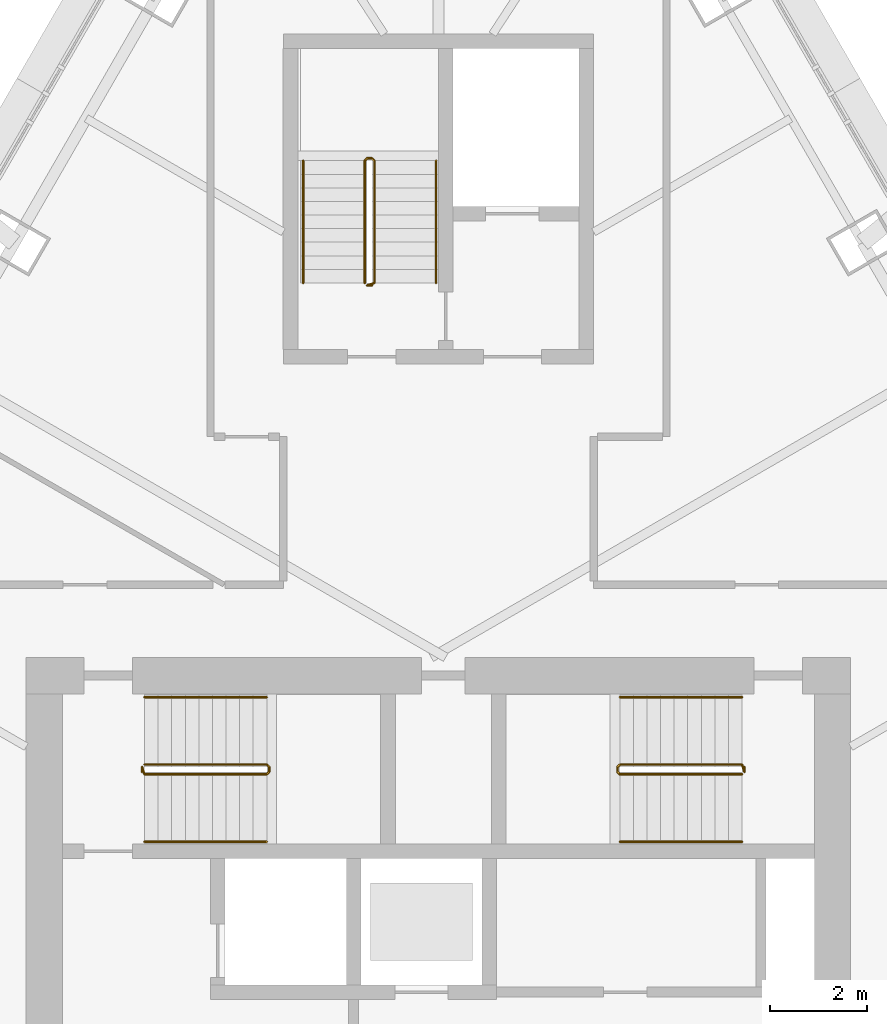
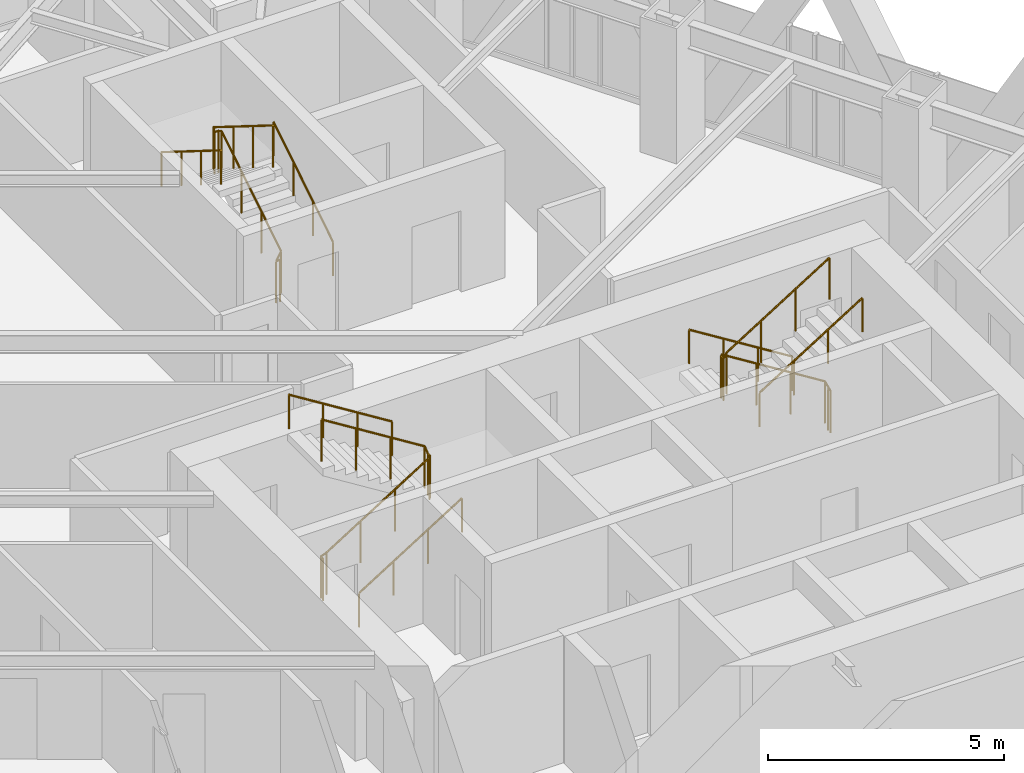
# One storey, part 22 of 23: 9 railings.
"""IFC4 building model written with IfcOpenShell, lengths in metres."""

from ifc_helpers import new_model, si_unit, direction, frame, origin, origin_2d, place, context, subcontext, project, spatial, circle, extrude, material, type_object, element, save


model = new_model("IFC4")

# Units and contexts
model_context = context("Model", 3, precision=1e-05, world=origin(), true_north=direction((0.0, 1.0)))
body_context = subcontext(model_context, "Body", "Model", "MODEL_VIEW")
ifc_project = project(units=[si_unit("LENGTHUNIT", "METRE"), si_unit("AREAUNIT", "SQUARE_METRE"), si_unit("VOLUMEUNIT", "CUBIC_METRE"), si_unit("PLANEANGLEUNIT", "RADIAN"), si_unit("MASSUNIT", "GRAM", prefix="KILO")], contexts=[model_context])

# Site, building, storey
site_placement = place(None, origin())
site = spatial("IfcSite", under=ifc_project, at=site_placement, CompositionType="ELEMENT")
building_placement = place(site_placement, origin())
building = spatial("IfcBuilding", under=site, at=building_placement, Name="Firuza Gate Tower and Library", CompositionType="ELEMENT")
storey_placement = place(building_placement, frame((0.0, 0.0, 312.60009765625)))
storey = spatial("IfcBuildingStorey", under=building, at=storey_placement, Name="L76", CompositionType="ELEMENT", Elevation=312.60009765625)

# Railings
ifc_material_1 = material(Name="Steel S355", Category="steel")
railing_type_1 = type_object("IfcRailingType", Name="Stair guard 1100", PredefinedType="GUARDRAIL", material=ifc_material_1)
railing_1_placement = place(storey_placement, frame((68.889892578125, 79.389892578125, 0.0)))
element("IfcRailing", 1, at=railing_1_placement, inside=storey, type_object=railing_type_1, Name="L76 ST1 stair guard 1", PredefinedType="GUARDRAIL", context=body_context, shape_type="SweptSolid", body=[
    extrude(circle(Radius=0.02392578125, at=origin_2d()), frame((0.0, 0.0, 1.076171875), z_axis=(0.0, 1.0, 0.0), x_axis=(-1.0, 0.0, 0.0)), (0.0, 0.0, 1.0), 0.10009765625),
    extrude(circle(Radius=0.02392578125, at=origin_2d()), frame((0.0, 0.10009765625, 1.076171875), z_axis=(0.212383695785, -0.636115069328, 0.741788908207), x_axis=(0.948528701346, 0.316691178788, 0.0)), (0.0, 0.0, 1.0), 0.235595703125),
    extrude(circle(Radius=0.02392578125, at=origin_2d()), frame((0.050048828125, -0.0498046875, 1.2509765625), z_axis=(0.847970611238, 0.0, 0.530043245855), x_axis=(0.0, 1.0, 0.0)), (0.0, 0.0, 1.0), 2.971923828125),
    extrude(circle(Radius=0.02392578125, at=origin_2d()), frame((2.570068359375, -0.0498046875, 2.826171875), z_axis=(0.708833529934, 0.705375805398, 0.0), x_axis=(-0.705375805398, 0.708833529934, 0.0)), (0.0, 0.0, 1.0), 0.070556640625),
    extrude(circle(Radius=0.02392578125, at=origin_2d()), frame((2.6201171875, 0.0, 2.826171875), z_axis=(0.0, 1.0, 0.0), x_axis=(-1.0, 0.0, 0.0)), (0.0, 0.0, 1.0), 0.10009765625),
    extrude(circle(Radius=0.02392578125, at=origin_2d()), frame((2.6201171875, 0.10009765625, 2.826171875), z_axis=(-0.265383341853, 0.265383341853, 0.926899867156), x_axis=(-0.707106781187, -0.707106781187, 0.0)), (0.0, 0.0, 1.0), 0.1884765625),
    extrude(circle(Radius=0.02392578125, at=origin_2d()), frame((2.570068359375, 0.150146484375, 3.0009765625), z_axis=(-0.847970611238, 0.0, 0.530043245855), x_axis=(0.0, -1.0, 0.0)), (0.0, 0.0, 1.0), 2.971923828125),
    extrude(circle(Radius=0.02099609375, at=origin_2d()), origin(), (0.0, 0.0, 1.0), 1.052001953125),
    extrude(circle(Radius=0.02099609375, at=origin_2d()), frame((0.0, 0.10009765625, 0.0)), (0.0, 0.0, 1.0), 1.052001953125),
    extrude(circle(Radius=0.02099609375, at=origin_2d()), frame((0.050048828125, -0.0498046875, 0.1748046875)), (0.0, 0.0, 1.0), 1.052001953125),
    extrude(circle(Radius=0.02099609375, at=origin_2d()), frame((0.89013671875, -0.0498046875, 0.699951171875)), (0.0, 0.0, 1.0), 1.052001953125),
    extrude(circle(Radius=0.02099609375, at=origin_2d()), frame((1.72998046875, -0.0498046875, 1.224853515625)), (0.0, 0.0, 1.0), 1.052001953125),
    extrude(circle(Radius=0.02099609375, at=origin_2d()), frame((2.570068359375, -0.0498046875, 1.75)), (0.0, 0.0, 1.0), 1.052001953125),
    extrude(circle(Radius=0.02099609375, at=origin_2d()), frame((2.6201171875, 0.0, 1.75)), (0.0, 0.0, 1.0), 1.052001953125),
    extrude(circle(Radius=0.02099609375, at=origin_2d()), frame((2.6201171875, 0.10009765625, 1.75)), (0.0, 0.0, 1.0), 1.052001953125),
    extrude(circle(Radius=0.02099609375, at=origin_2d()), frame((2.570068359375, 0.150146484375, 1.9248046875)), (0.0, 0.0, 1.0), 1.052001953125),
    extrude(circle(Radius=0.02099609375, at=origin_2d()), frame((1.72998046875, 0.150146484375, 2.449951171875)), (0.0, 0.0, 1.0), 1.052001953125),
    extrude(circle(Radius=0.02099609375, at=origin_2d()), frame((0.89013671875, 0.150146484375, 2.974853515625)), (0.0, 0.0, 1.0), 1.052001953125),
    extrude(circle(Radius=0.02099609375, at=origin_2d()), frame((0.050048828125, 0.150146484375, 3.5)), (0.0, 0.0, 1.0), 1.052001953125),
])
railing_2_placement = place(storey_placement, frame((81.31005859375, 79.489990234375, 0.0)))
element("IfcRailing", 2, at=railing_2_placement, inside=storey, type_object=railing_type_1, Name="L76 ST2 stair guard 1", PredefinedType="GUARDRAIL", context=body_context, shape_type="SweptSolid", body=[
    extrude(circle(Radius=0.02392578125, at=origin_2d()), frame((0.0, 0.0, 1.076171875), z_axis=(0.0, -1.0, 0.0), x_axis=(1.0, 0.0, 0.0)), (0.0, 0.0, 1.0), 0.10009765625),
    extrude(circle(Radius=0.02392578125, at=origin_2d()), frame((0.0, -0.10009765625, 1.076171875), z_axis=(-0.21224375372, 0.63673126116, 0.741300134944), x_axis=(-0.948683298051, -0.316227766017, 0.0)), (0.0, 0.0, 1.0), 0.23583984375),
    extrude(circle(Radius=0.02392578125, at=origin_2d()), frame((-0.050048828125, 0.050048828125, 1.2509765625), z_axis=(-0.847970611238, 0.0, 0.530043245855), x_axis=(0.0, -1.0, 0.0)), (0.0, 0.0, 1.0), 2.971923828125),
    extrude(circle(Radius=0.02392578125, at=origin_2d()), frame((-2.570068359375, 0.050048828125, 2.826171875), z_axis=(-0.707106781187, -0.707106781187, 0.0), x_axis=(0.707106781187, -0.707106781187, 0.0)), (0.0, 0.0, 1.0), 0.07080078125),
    extrude(circle(Radius=0.02392578125, at=origin_2d()), frame((-2.6201171875, 0.0, 2.826171875), z_axis=(0.0, -1.0, 0.0), x_axis=(1.0, 0.0, 0.0)), (0.0, 0.0, 1.0), 0.10009765625),
    extrude(circle(Radius=0.02392578125, at=origin_2d()), frame((-2.6201171875, -0.10009765625, 2.826171875), z_axis=(0.265474339444, -0.264179342666, 0.927217692888), x_axis=(0.705375805398, 0.708833529934, 0.0)), (0.0, 0.0, 1.0), 0.1884765625),
    extrude(circle(Radius=0.02392578125, at=origin_2d()), frame((-2.570068359375, -0.14990234375, 3.0009765625), z_axis=(0.847970611238, 0.0, 0.530043245855), x_axis=(0.0, 1.0, 0.0)), (0.0, 0.0, 1.0), 2.971923828125),
    extrude(circle(Radius=0.02099609375, at=origin_2d()), origin(), (0.0, 0.0, 1.0), 1.052001953125),
    extrude(circle(Radius=0.02099609375, at=origin_2d()), frame((0.0, -0.10009765625, 0.0)), (0.0, 0.0, 1.0), 1.052001953125),
    extrude(circle(Radius=0.02099609375, at=origin_2d()), frame((-0.050048828125, 0.050048828125, 0.1748046875)), (0.0, 0.0, 1.0), 1.052001953125),
    extrude(circle(Radius=0.02099609375, at=origin_2d()), frame((-0.89013671875, 0.050048828125, 0.699951171875)), (0.0, 0.0, 1.0), 1.052001953125),
    extrude(circle(Radius=0.02099609375, at=origin_2d()), frame((-1.72998046875, 0.050048828125, 1.224853515625)), (0.0, 0.0, 1.0), 1.052001953125),
    extrude(circle(Radius=0.02099609375, at=origin_2d()), frame((-2.570068359375, 0.050048828125, 1.75)), (0.0, 0.0, 1.0), 1.052001953125),
    extrude(circle(Radius=0.02099609375, at=origin_2d()), frame((-2.6201171875, 0.0, 1.75)), (0.0, 0.0, 1.0), 1.052001953125),
    extrude(circle(Radius=0.02099609375, at=origin_2d()), frame((-2.6201171875, -0.10009765625, 1.75)), (0.0, 0.0, 1.0), 1.052001953125),
    extrude(circle(Radius=0.02099609375, at=origin_2d()), frame((-2.570068359375, -0.14990234375, 1.9248046875)), (0.0, 0.0, 1.0), 1.052001953125),
    extrude(circle(Radius=0.02099609375, at=origin_2d()), frame((-1.72998046875, -0.14990234375, 2.449951171875)), (0.0, 0.0, 1.0), 1.052001953125),
    extrude(circle(Radius=0.02099609375, at=origin_2d()), frame((-0.89013671875, -0.14990234375, 2.974853515625)), (0.0, 0.0, 1.0), 1.052001953125),
    extrude(circle(Radius=0.02099609375, at=origin_2d()), frame((-0.050048828125, -0.14990234375, 3.5)), (0.0, 0.0, 1.0), 1.052001953125),
])
railing_3_placement = place(storey_placement, frame((73.6298828125, 89.419921875, 0.0)))
element("IfcRailing", 3, at=railing_3_placement, inside=storey, type_object=railing_type_1, Name="L76 ST3 stair guard 1", PredefinedType="GUARDRAIL", context=body_context, shape_type="SweptSolid", body=[
    extrude(circle(Radius=0.02392578125, at=origin_2d()), frame((0.0, 0.0, 1.076171875), z_axis=(-1.0, 0.0, 0.0), x_axis=(0.0, -1.0, 0.0)), (0.0, 0.0, 1.0), 0.099853515625),
    extrude(circle(Radius=0.02392578125, at=origin_2d()), frame((-0.099853515625, 0.0, 1.076171875), z_axis=(0.636115069328, 0.212383695785, 0.741788908207), x_axis=(-0.316691178788, 0.948528701346, 0.0)), (0.0, 0.0, 1.0), 0.235595703125),
    extrude(circle(Radius=0.02392578125, at=origin_2d()), frame((0.050048828125, 0.050048828125, 1.2509765625), z_axis=(0.0, 0.847970611238, 0.530043245855), x_axis=(-1.0, 0.0, 0.0)), (0.0, 0.0, 1.0), 2.971923828125),
    extrude(circle(Radius=0.02392578125, at=origin_2d()), frame((0.050048828125, 2.570068359375, 2.826171875), z_axis=(-0.707106781187, 0.707106781187, 0.0), x_axis=(-0.707106781187, -0.707106781187, 0.0)), (0.0, 0.0, 1.0), 0.07080078125),
    extrude(circle(Radius=0.02392578125, at=origin_2d()), frame((0.0, 2.6201171875, 2.826171875), z_axis=(-1.0, 0.0, 0.0), x_axis=(0.0, -1.0, 0.0)), (0.0, 0.0, 1.0), 0.099853515625),
    extrude(circle(Radius=0.02392578125, at=origin_2d()), frame((-0.099853515625, 2.6201171875, 2.826171875), z_axis=(-0.265383341853, -0.265383341853, 0.926899867156), x_axis=(0.707106781187, -0.707106781187, 0.0)), (0.0, 0.0, 1.0), 0.1884765625),
    extrude(circle(Radius=0.02392578125, at=origin_2d()), frame((-0.14990234375, 2.570068359375, 3.0009765625), z_axis=(0.0, -0.847970611238, 0.530043245855), x_axis=(1.0, 0.0, 0.0)), (0.0, 0.0, 1.0), 2.971923828125),
    extrude(circle(Radius=0.02099609375, at=origin_2d()), origin(), (0.0, 0.0, 1.0), 1.052001953125),
    extrude(circle(Radius=0.02099609375, at=origin_2d()), frame((-0.099853515625, 0.0, 0.0)), (0.0, 0.0, 1.0), 1.052001953125),
    extrude(circle(Radius=0.02099609375, at=origin_2d()), frame((0.050048828125, 0.050048828125, 0.1748046875)), (0.0, 0.0, 1.0), 1.052001953125),
    extrude(circle(Radius=0.02099609375, at=origin_2d()), frame((0.050048828125, 0.89013671875, 0.699951171875)), (0.0, 0.0, 1.0), 1.052001953125),
    extrude(circle(Radius=0.02099609375, at=origin_2d()), frame((0.050048828125, 1.72998046875, 1.224853515625)), (0.0, 0.0, 1.0), 1.052001953125),
    extrude(circle(Radius=0.02099609375, at=origin_2d()), frame((0.050048828125, 2.570068359375, 1.75)), (0.0, 0.0, 1.0), 1.052001953125),
    extrude(circle(Radius=0.02099609375, at=origin_2d()), frame((0.0, 2.6201171875, 1.75)), (0.0, 0.0, 1.0), 1.052001953125),
    extrude(circle(Radius=0.02099609375, at=origin_2d()), frame((-0.099853515625, 2.6201171875, 1.75)), (0.0, 0.0, 1.0), 1.052001953125),
    extrude(circle(Radius=0.02099609375, at=origin_2d()), frame((-0.14990234375, 2.570068359375, 1.9248046875)), (0.0, 0.0, 1.0), 1.052001953125),
    extrude(circle(Radius=0.02099609375, at=origin_2d()), frame((-0.14990234375, 1.72998046875, 2.449951171875)), (0.0, 0.0, 1.0), 1.052001953125),
    extrude(circle(Radius=0.02099609375, at=origin_2d()), frame((-0.14990234375, 0.89013671875, 2.974853515625)), (0.0, 0.0, 1.0), 1.052001953125),
    extrude(circle(Radius=0.02099609375, at=origin_2d()), frame((-0.14990234375, 0.050048828125, 3.5)), (0.0, 0.0, 1.0), 1.052001953125),
])
ifc_material_2 = material(Name="Steel S355", Category="steel")
railing_type_2 = type_object("IfcRailingType", Name="Stair handrail 900", PredefinedType="HANDRAIL", material=ifc_material_2)
railing_4_placement = place(storey_placement, frame((68.93994140625, 77.949951171875, 0.1748046875)))
element("IfcRailing", 4, at=railing_4_placement, inside=storey, type_object=railing_type_2, Name="L76 ST1 stair handrail 1", PredefinedType="HANDRAIL", context=body_context, shape_type="SweptSolid", body=[
    extrude(circle(Radius=0.02392578125, at=origin_2d()), frame((0.0, 0.0, 0.8759765625), z_axis=(0.847970611238, 0.0, 0.530043245855), x_axis=(0.0, 1.0, 0.0)), (0.0, 0.0, 1.0), 2.971923828125),
    extrude(circle(Radius=0.02099609375, at=origin_2d()), origin(), (0.0, 0.0, 1.0), 0.851806640625),
    extrude(circle(Radius=0.02099609375, at=origin_2d()), frame((0.840087890625, 0.0, 0.525146484375)), (0.0, 0.0, 1.0), 0.851806640625),
    extrude(circle(Radius=0.02099609375, at=origin_2d()), frame((1.679931640625, 0.0, 1.050048828125)), (0.0, 0.0, 1.0), 0.851806640625),
    extrude(circle(Radius=0.02099609375, at=origin_2d()), frame((2.52001953125, 0.0, 1.5751953125)), (0.0, 0.0, 1.0), 0.851806640625),
])
for number, where, name in (
    (5, (71.4599609375, 80.929931640625, 1.9248046875), "L76 ST1 stair handrail 2"),
    (6, (81.260009765625, 80.929931640625, 0.1748046875), "L76 ST2 stair handrail 1"),
):
    element("IfcRailing", number, at=place(storey_placement, frame(where)), inside=storey, type_object=railing_type_2, Name=name, PredefinedType="HANDRAIL", context=body_context, shape_type="SweptSolid", body=[
        extrude(circle(Radius=0.02392578125, at=origin_2d()), frame((0.0, 0.0, 0.8759765625), z_axis=(-0.847970611238, 0.0, 0.530043245855), x_axis=(0.0, -1.0, 0.0)), (0.0, 0.0, 1.0), 2.971923828125),
        extrude(circle(Radius=0.02099609375, at=origin_2d()), origin(), (0.0, 0.0, 1.0), 0.851806640625),
        extrude(circle(Radius=0.02099609375, at=origin_2d()), frame((-0.840087890625, 0.0, 0.525146484375)), (0.0, 0.0, 1.0), 0.851806640625),
        extrude(circle(Radius=0.02099609375, at=origin_2d()), frame((-1.679931640625, 0.0, 1.050048828125)), (0.0, 0.0, 1.0), 0.851806640625),
        extrude(circle(Radius=0.02099609375, at=origin_2d()), frame((-2.52001953125, 0.0, 1.5751953125)), (0.0, 0.0, 1.0), 0.851806640625),
    ])
railing_5_placement = place(storey_placement, frame((78.739990234375, 77.949951171875, 1.9248046875)))
element("IfcRailing", 7, at=railing_5_placement, inside=storey, type_object=railing_type_2, Name="L76 ST2 stair handrail 2", PredefinedType="HANDRAIL", context=body_context, shape_type="SweptSolid", body=[
    extrude(circle(Radius=0.02392578125, at=origin_2d()), frame((0.0, 0.0, 0.8759765625), z_axis=(0.847970611238, 0.0, 0.530043245855), x_axis=(0.0, 1.0, 0.0)), (0.0, 0.0, 1.0), 2.971923828125),
    extrude(circle(Radius=0.02099609375, at=origin_2d()), origin(), (0.0, 0.0, 1.0), 0.851806640625),
    extrude(circle(Radius=0.02099609375, at=origin_2d()), frame((0.840087890625, 0.0, 0.525146484375)), (0.0, 0.0, 1.0), 0.851806640625),
    extrude(circle(Radius=0.02099609375, at=origin_2d()), frame((1.679931640625, 0.0, 1.050048828125)), (0.0, 0.0, 1.0), 0.851806640625),
    extrude(circle(Radius=0.02099609375, at=origin_2d()), frame((2.52001953125, 0.0, 1.5751953125)), (0.0, 0.0, 1.0), 0.851806640625),
])
railing_6_placement = place(storey_placement, frame((74.949951171875, 89.469970703125, 0.1748046875)))
element("IfcRailing", 8, at=railing_6_placement, inside=storey, type_object=railing_type_2, Name="L76 ST3 stair handrail 1", PredefinedType="HANDRAIL", context=body_context, shape_type="SweptSolid", body=[
    extrude(circle(Radius=0.02392578125, at=origin_2d()), frame((0.0, 0.0, 0.8759765625), z_axis=(0.0, 0.847970611238, 0.530043245855), x_axis=(-1.0, 0.0, 0.0)), (0.0, 0.0, 1.0), 2.971923828125),
    extrude(circle(Radius=0.02099609375, at=origin_2d()), origin(), (0.0, 0.0, 1.0), 0.851806640625),
    extrude(circle(Radius=0.02099609375, at=origin_2d()), frame((0.0, 0.840087890625, 0.525146484375)), (0.0, 0.0, 1.0), 0.851806640625),
    extrude(circle(Radius=0.02099609375, at=origin_2d()), frame((0.0, 1.679931640625, 1.050048828125)), (0.0, 0.0, 1.0), 0.851806640625),
    extrude(circle(Radius=0.02099609375, at=origin_2d()), frame((0.0, 2.52001953125, 1.5751953125)), (0.0, 0.0, 1.0), 0.851806640625),
])
railing_7_placement = place(storey_placement, frame((72.2099609375, 91.989990234375, 1.9248046875)))
element("IfcRailing", 9, at=railing_7_placement, inside=storey, type_object=railing_type_2, Name="L76 ST3 stair handrail 2", PredefinedType="HANDRAIL", context=body_context, shape_type="SweptSolid", body=[
    extrude(circle(Radius=0.02392578125, at=origin_2d()), frame((0.0, 0.0, 0.8759765625), z_axis=(0.0, -0.847970611238, 0.530043245855), x_axis=(1.0, 0.0, 0.0)), (0.0, 0.0, 1.0), 2.971923828125),
    extrude(circle(Radius=0.02099609375, at=origin_2d()), origin(), (0.0, 0.0, 1.0), 0.851806640625),
    extrude(circle(Radius=0.02099609375, at=origin_2d()), frame((0.0, -0.840087890625, 0.525146484375)), (0.0, 0.0, 1.0), 0.851806640625),
    extrude(circle(Radius=0.02099609375, at=origin_2d()), frame((0.0, -1.679931640625, 1.050048828125)), (0.0, 0.0, 1.0), 0.851806640625),
    extrude(circle(Radius=0.02099609375, at=origin_2d()), frame((0.0, -2.52001953125, 1.5751953125)), (0.0, 0.0, 1.0), 0.851806640625),
])

save(model, "model.ifc")
